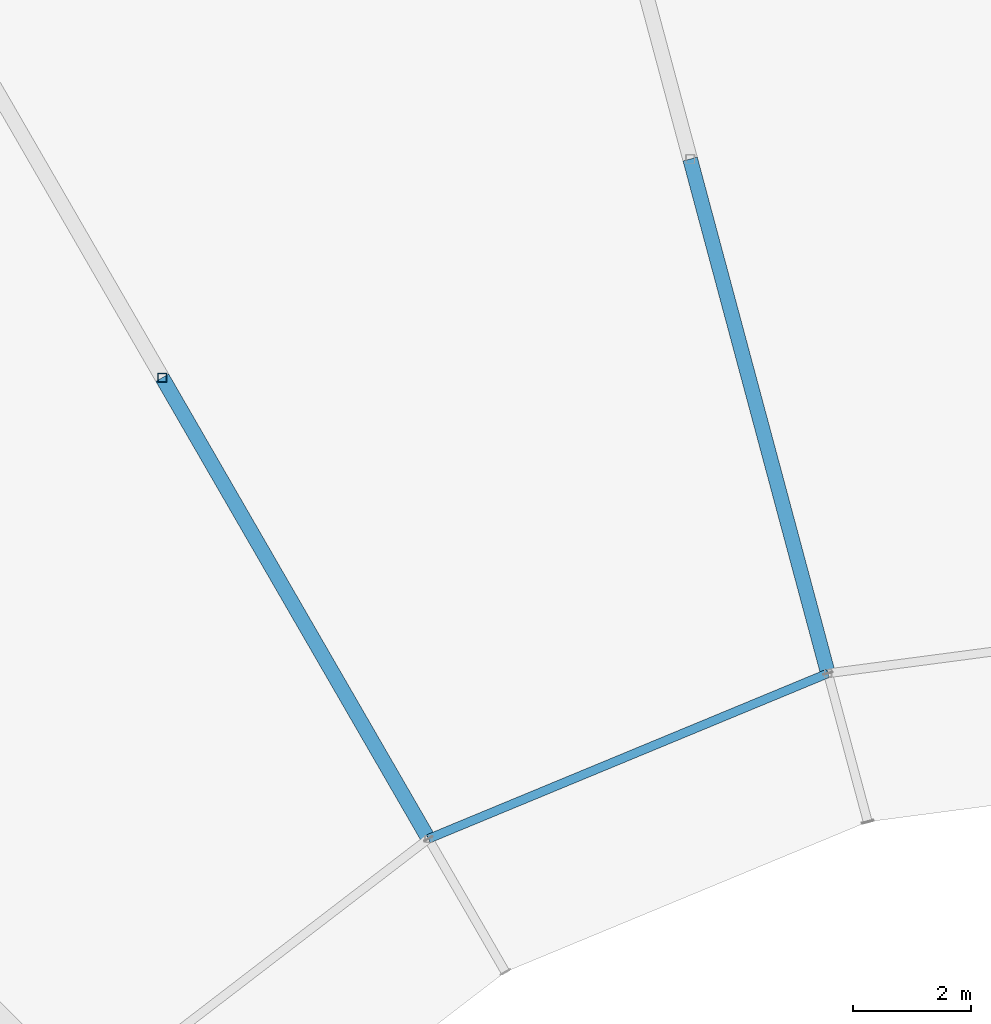
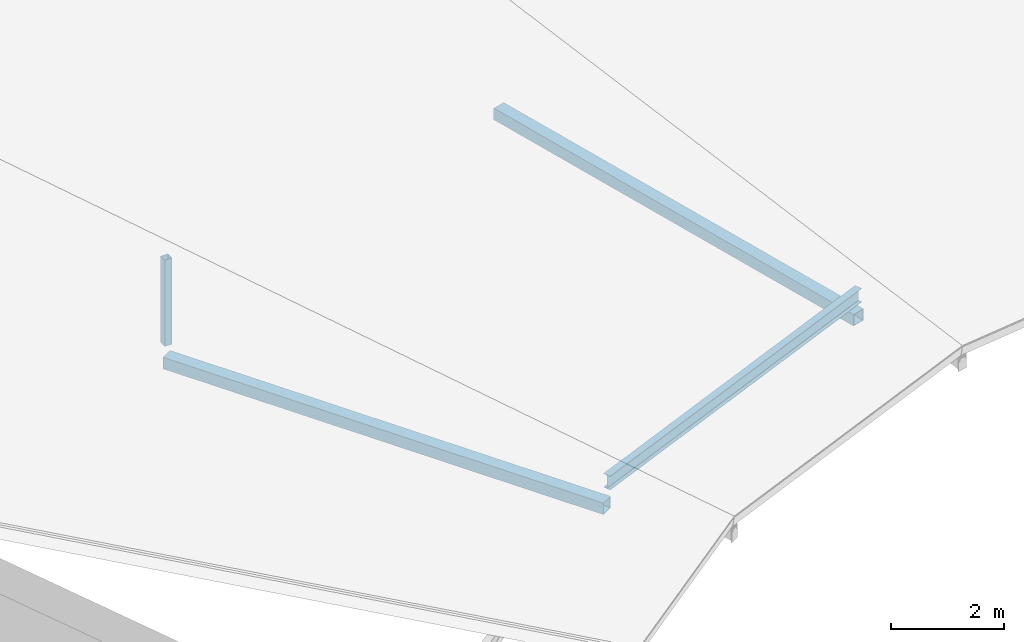
# One storey, part 15 of 70: 3 members, 1 beam.
"""IFC4 building model written with IfcOpenShell, lengths in metres."""

from ifc_helpers import new_model, si_unit, direction, frame, origin, origin_2d, place, context, subcontext, project, spatial, hollow_rectangle, i_section, extrude, material, material_profile, profile_set, type_object, element, save


model = new_model("IFC4")

# Units and contexts
model_context = context("Model", 3, precision=1e-05, world=origin(), true_north=direction((0.0, 1.0)))
body_context = subcontext(model_context, "Body", "Model", "MODEL_VIEW")
ifc_project = project(units=[si_unit("LENGTHUNIT", "METRE"), si_unit("AREAUNIT", "SQUARE_METRE"), si_unit("VOLUMEUNIT", "CUBIC_METRE"), si_unit("PLANEANGLEUNIT", "RADIAN"), si_unit("MASSUNIT", "GRAM", prefix="KILO")], contexts=[model_context])

# Site, building, storey
site_placement = place(None, origin())
site = spatial("IfcSite", under=ifc_project, at=site_placement, CompositionType="ELEMENT")
building_placement = place(site_placement, origin())
building = spatial("IfcBuilding", under=site, at=building_placement, Name="Vondelvale Polytechnic", CompositionType="ELEMENT")
storey_placement = place(building_placement, frame((0.0, 0.0, 22.199951171875)))
storey = spatial("IfcBuildingStorey", under=building, at=storey_placement, Name="L05", CompositionType="ELEMENT", Elevation=22.199951171875)

# Beam
ifc_material_1 = material(Name="Steel 300PLUS (fy = 300 MPa)", Category="steel")
ifc_material_profile_1 = material_profile(ifc_material_1, i_section(OverallWidth=0.14892578125, OverallDepth=0.298095703125, WebThickness=0.005615234375, FlangeThickness=0.008056640625, FilletRadius=0.011474609375, at=origin_2d()), Name="310UB32.0")
ifc_profile_set_1 = profile_set([ifc_material_profile_1], Name="Steel 300PLUS (fy = 300 MPa)")
beam_type = type_object("IfcBeamType", Name="BM-UB310L", PredefinedType="BEAM", material=ifc_profile_set_1)
beam_placement = place(storey_placement, frame((94.753173828125, 99.0458984375, 0.16259765625), z_axis=(-0.923886161226, -0.382667428841, 0.0), x_axis=(0.382667428841, -0.923886161226, 0.0)))
element("IfcBeam", 1, at=beam_placement, inside=storey, type_object=beam_type, Name="L05 RE B-25", PredefinedType="BEAM", context=body_context, shape_type="SweptSolid", body=[
    extrude(i_section(OverallWidth=0.14892578125, OverallDepth=0.298095703125, WebThickness=0.005615234375, FlangeThickness=0.008056640625, FilletRadius=0.011474609375, at=origin_2d()), origin(), (0.0, 0.0, 1.0), 7.3095703125),
])

# Members
ifc_material_2 = material(Name="Steel C350L0 (fy = 350 MPa)", Category="steel")
ifc_material_profile_2 = material_profile(ifc_material_2, hollow_rectangle(XDim=0.25, YDim=0.25, WallThickness=0.009033203125, at=origin_2d()), Name="250x250x9.0SHS")
ifc_profile_set_2 = profile_set([ifc_material_profile_2], Name="Steel C350L0 (fy = 350 MPa)")
member_type_1 = type_object("IfcMemberType", Name="ROOF TRUSS CHORD 250SHS", PredefinedType="CHORD", material=ifc_profile_set_2)
for number, where, z_axis, x_axis, name in (
    (2, (94.753173828125, 99.0458984375, -0.349853515625), (-0.258840941576, 0.965919958881, 0.0), (-0.965919958881, -0.258840941576, 0.0), "Ring workshop truss chord 07A"),
    (3, (88.0, 96.248779296875, -0.349853515625), (-0.5000018851, 0.866024315419, 0.0), (-0.866024315419, -0.5000018851, 0.0), "Ring workshop truss chord 08A"),
):
    element("IfcMember", number, at=place(storey_placement, frame(where, z_axis=z_axis, x_axis=x_axis)), inside=storey, type_object=member_type_1, Name=name, PredefinedType="CHORD", context=body_context, shape_type="SweptSolid", body=[
        extrude(hollow_rectangle(XDim=0.25, YDim=0.25, WallThickness=0.009033203125, at=origin_2d()), origin(), (0.0, 0.0, 1.0), 9.0),
    ])
ifc_material_profile_3 = material_profile(ifc_material_2, hollow_rectangle(XDim=0.14990234375, YDim=0.14990234375, WallThickness=0.006103515625, at=origin_2d()), Name="150x150x6.0SHS")
ifc_profile_set_3 = profile_set([ifc_material_profile_3], Name="Steel C350L0 (fy = 350 MPa)")
member_type_2 = type_object("IfcMemberType", Name="ROOF TRUSS POST 150SHS", PredefinedType="POST", material=ifc_profile_set_3)
member_placement = place(storey_placement, frame((83.5, 104.04296875, 0.0), z_axis=(0.0, 0.0, 1.0), x_axis=(1.0, 0.0, 0.0)))
element("IfcMember", 4, at=member_placement, inside=storey, type_object=member_type_2, Name="Ring mid roof post 08", PredefinedType="POST", context=body_context, shape_type="SweptSolid", body=[
    extrude(hollow_rectangle(XDim=0.14990234375, YDim=0.14990234375, WallThickness=0.006103515625, at=origin_2d()), origin(), (0.0, 0.0, 1.0), 1.86572265625),
])

save(model, "model.ifc")
